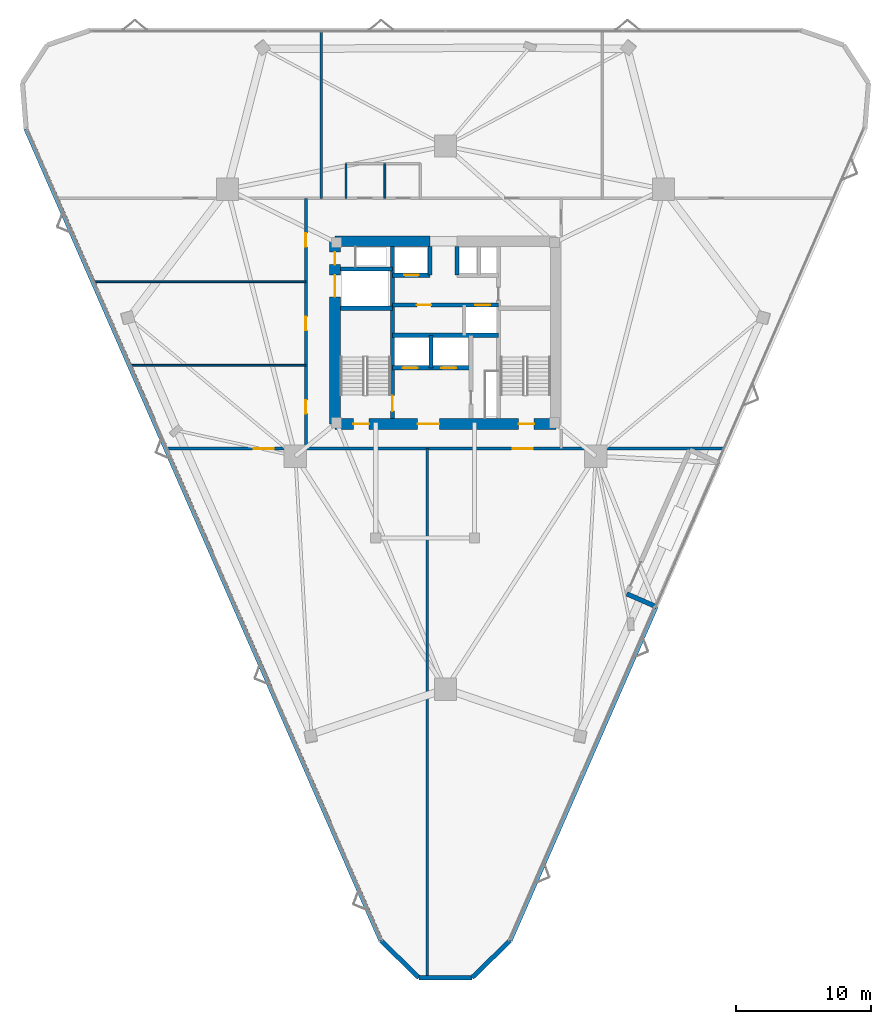
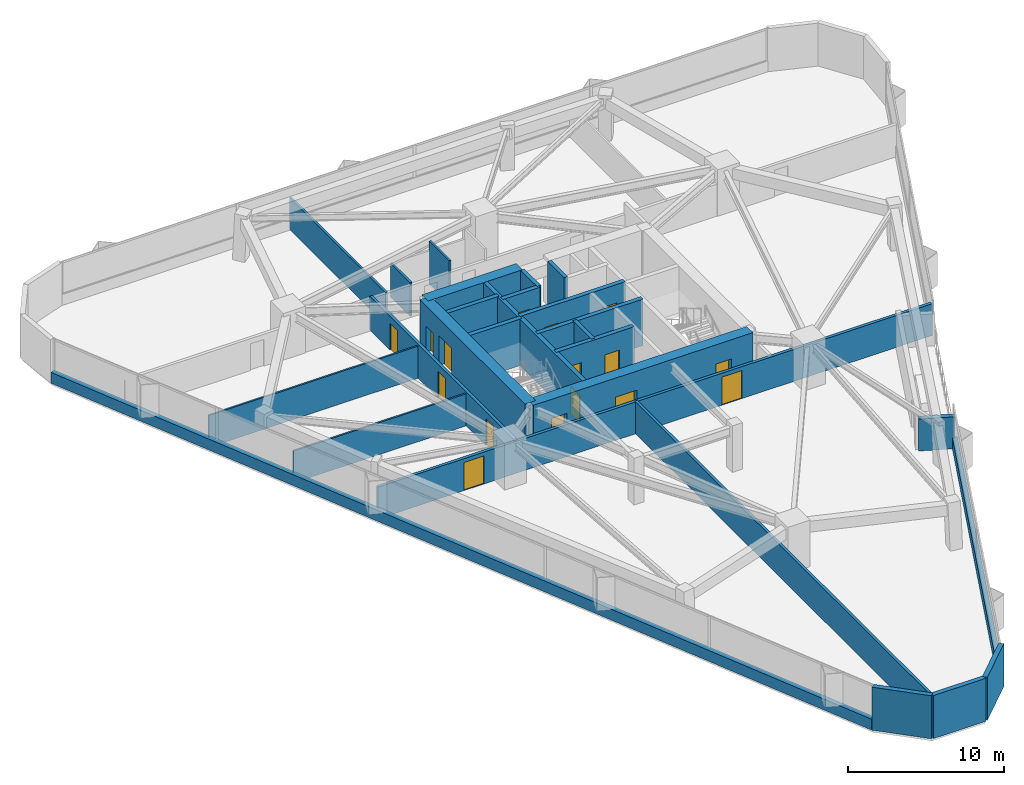
# One storey, part 12 of 14: 27 walls, 16 doors, 16 openings.
"""IFC4 building model written with IfcOpenShell, lengths in metres."""

from ifc_helpers import new_model, si_unit, direction, frame, frame_2d, origin, place, context, subcontext, project, spatial, rectangle, extrude, material, layer, layer_set, type_object, element, fill, save


model = new_model("IFC4")

# Units and contexts
model_context = context("Model", 3, precision=1e-05, world=origin(), true_north=direction((0.0, 1.0)))
body_context = subcontext(model_context, "Body", "Model", "MODEL_VIEW")
ifc_project = project(units=[si_unit("LENGTHUNIT", "METRE"), si_unit("AREAUNIT", "SQUARE_METRE"), si_unit("VOLUMEUNIT", "CUBIC_METRE"), si_unit("PLANEANGLEUNIT", "RADIAN"), si_unit("MASSUNIT", "GRAM", prefix="KILO")], contexts=[model_context])

# Site, building, storey
site_placement = place(None, origin())
site = spatial("IfcSite", under=ifc_project, at=site_placement, CompositionType="ELEMENT")
building_placement = place(site_placement, origin())
building = spatial("IfcBuilding", under=site, at=building_placement, Name="Talyreon Biosciences Tower", CompositionType="ELEMENT")
storey_placement = place(building_placement, frame((0.0, 0.0, 96.89990234375)))
storey = spatial("IfcBuildingStorey", under=building, at=storey_placement, Name="L25", CompositionType="ELEMENT", Elevation=96.89990234375)

# Walls
ifc_material_1 = material(Name="Gypsum fireboard acoustic stud", Category="gypsum")
ifc_layer_1 = layer(ifc_material_1, 0.199951171875)
ifc_layer_set_1 = layer_set([ifc_layer_1], Name="Gypsum fireboard acoustic stud")
wall_type_1 = type_object("IfcWallType", Name="ChemControlPartition_200", PredefinedType="PARTITIONING", material=ifc_layer_set_1)
wall_1_placement = place(storey_placement, frame((64.64990234375, 20.4423828125, 0.0), z_axis=(0.0, 0.0, 1.0), x_axis=(0.0, 1.0, 0.0)))
element("IfcWall", 1, at=wall_1_placement, inside=storey, type_object=wall_type_1, Name="L25 Interior Wall IW-L25-SDIV1", PredefinedType="PARTITIONING", context=body_context, shape_type="SweptSolid", body=[
    extrude(rectangle(XDim=38.987548828125, YDim=0.199951171875, at=frame_2d((19.49365234375, 0.0))), origin(), (0.0, 0.0, 1.0), 2.505126953125),
])
ifc_material_2 = material(Name="Concrete C50/60", Category="concrete")
ifc_layer_2 = layer(ifc_material_2, 0.280029296875)
ifc_layer_set_2 = layer_set([ifc_layer_2], Name="Concrete C50/60")
wall_type_2 = type_object("IfcWallType", Name="CoreShearWall_280", PredefinedType="SHEAR", material=ifc_layer_set_2)
wall_2_placement = place(storey_placement, frame((64.919921875, 65.39990234375, 0.0), z_axis=(0.0, 0.0, 1.0), x_axis=(0.0, 1.0, 0.0)))
element("IfcWall", 2, at=wall_2_placement, inside=storey, type_object=wall_type_2, Name="L25 Core Shaft Wall SWSHD1", PredefinedType="SHEAR", context=body_context, shape_type="SweptSolid", body=[
    extrude(rectangle(XDim=2.400146484375, YDim=0.280029296875, at=frame_2d((1.2001953125, 0.0))), origin(), (0.0, 0.0, 1.0), 3.650146484375),
])
for number, where, z_axis, x_axis, name in (
    (3, (64.85009765625, 72.25, 0.0), (0.0, 0.0, 1.0), (0.0, 1.0, 0.0), "L25 Core Shaft Wall SWTHW"),
    (4, (66.85009765625, 72.25, 0.0), (0.0, 0.0, 1.0), (0.0, 1.0, 0.0), "L25 Core Shaft Wall SWTHE"),
):
    element("IfcWall", number, at=place(storey_placement, frame(where, z_axis=z_axis, x_axis=x_axis)), inside=storey, type_object=wall_type_2, Name=name, PredefinedType="SHEAR", context=body_context, shape_type="SweptSolid", body=[
        extrude(rectangle(XDim=2.10009765625, YDim=0.280029296875, at=frame_2d((1.050048828125, 0.0))), origin(), (0.0, 0.0, 1.0), 3.650146484375),
    ])

# Wall, opening, door
ifc_layer_3 = layer(ifc_material_2, 0.320068359375)
ifc_layer_set_3 = layer_set([ifc_layer_3], Name="Concrete C50/60")
wall_type_3 = type_object("IfcWallType", Name="CoreShearWall_320", PredefinedType="SHEAR", material=ifc_layer_set_3)
wall_3_placement = place(storey_placement, frame((62.090087890625, 61.64990234375, 0.0), z_axis=(0.0, 0.0, 1.0), x_axis=(0.0, 1.0, 0.0)))
wall_3 = element("IfcWall", 5, at=wall_3_placement, inside=storey, type_object=wall_type_3, Name="L25 Core Shaft Wall SW1E", PredefinedType="SHEAR", context=body_context, shape_type="SweptSolid", body=[
    extrude(rectangle(XDim=12.7001953125, YDim=0.320068359375, at=frame_2d((6.35009765625, 0.0))), origin(), (0.0, 0.0, 1.0), 3.650146484375),
])
opening_1_placement = place(wall_3_placement, frame((0.550048828125, 0.0, 0.0)))
opening_1 = element("IfcOpeningElement", 6, at=opening_1_placement, cuts=wall_3, Name="Opening DR-L25-FF-ST1", PredefinedType="OPENING", context=body_context, shape_type="SweptSolid", body=[
    extrude(rectangle(XDim=1.14990234375, YDim=2.14990234375, at=frame_2d((0.574951171875, 1.074951171875))), frame((0.0, 0.169921875, 0.0), z_axis=(0.0, -1.0, 0.0), x_axis=(1.0, 0.0, 0.0)), (0.0, 0.0, 1.0), 0.340087890625),
])
ifc_material_3 = material(Name="Painted steel fire door", Category="steel")
door_type_1 = type_object("IfcDoorType", Name="StairShaftFireDoor_1150x2150", OperationType="NOTDEFINED", PredefinedType="DOOR", material=ifc_material_3)
door_1_placement = place(opening_1_placement, origin())
door_1 = element("IfcDoor", 7, at=door_1_placement, inside=storey, type_object=door_type_1, Name="L25 Core Door DR-L25-FF-ST1", OperationType="SINGLE_SWING_LEFT", OverallHeight=2.14990234375, OverallWidth=1.14990234375, PredefinedType="DOOR", context=body_context, shape_type="SweptSolid", body=[
    extrude(rectangle(XDim=1.14990234375, YDim=2.14990234375, at=frame_2d((0.574951171875, 1.074951171875))), frame((0.0, 0.02490234375, 0.0), z_axis=(0.0, -1.0, 0.0), x_axis=(1.0, 0.0, 0.0)), (0.0, 0.0, 1.0), 0.050048828125),
])
fill(opening_1, door_1)

# Walls
for number, where, z_axis, x_axis, name in (
    (8, (58.25, 69.81005859375, 0.0), (0.0, 0.0, 1.0), (1.0, 0.0, 0.0), "L25 Core Shaft Wall SW1N"),
    (9, (58.25, 72.699951171875, 0.0), (0.0, 0.0, 1.0), (1.0, 0.0, 0.0), "L25 Core Shaft Wall SWGLN"),
):
    element("IfcWall", number, at=place(storey_placement, frame(where, z_axis=z_axis, x_axis=x_axis)), inside=storey, type_object=wall_type_3, Name=name, PredefinedType="SHEAR", context=body_context, shape_type="SweptSolid", body=[
        extrude(rectangle(XDim=3.840087890625, YDim=0.320068359375, at=frame_2d((1.919921875, 0.0))), origin(), (0.0, 0.0, 1.0), 3.650146484375),
    ])
wall_4_placement = place(storey_placement, frame((62.090087890625, 67.800048828125, 0.0), z_axis=(0.0, 0.0, 1.0), x_axis=(1.0, 0.0, 0.0)))
element("IfcWall", 10, at=wall_4_placement, inside=storey, type_object=wall_type_3, Name="L25 Core Shaft Wall SWSHM", PredefinedType="SHEAR", context=body_context, shape_type="SweptSolid", body=[
    extrude(rectangle(XDim=7.81982421875, YDim=0.320068359375, at=frame_2d((3.909912109375, 0.0))), origin(), (0.0, 0.0, 1.0), 3.650146484375),
])

# Wall, openings, doors
wall_5_placement = place(storey_placement, frame((62.090087890625, 70.050048828125, 0.0), z_axis=(0.0, 0.0, 1.0), x_axis=(1.0, 0.0, 0.0)))
wall_5 = element("IfcWall", 11, at=wall_5_placement, inside=storey, type_object=wall_type_3, Name="L25 Core Shaft Wall SWSPN", PredefinedType="SHEAR", context=body_context, shape_type="SweptSolid", body=[
    extrude(rectangle(XDim=7.81982421875, YDim=0.320068359375, at=frame_2d((3.909912109375, 0.0))), origin(), (0.0, 0.0, 1.0), 3.650146484375),
])
opening_2_placement = place(wall_5_placement, frame((1.800048828125, 0.0, 0.0)))
opening_2 = element("IfcOpeningElement", 12, at=opening_2_placement, cuts=wall_5, Name="Opening DR-L25-PLFREE-A", PredefinedType="OPENING", context=body_context, shape_type="SweptSolid", body=[
    extrude(rectangle(XDim=1.050048828125, YDim=2.14990234375, at=frame_2d((0.52490234375, 1.074951171875))), frame((0.0, 0.169921875, 0.0), z_axis=(0.0, -1.0, 0.0), x_axis=(1.0, 0.0, 0.0)), (0.0, 0.0, 1.0), 0.340087890625),
])
opening_3_placement = place(wall_5_placement, frame((6.10009765625, 0.0, 0.0)))
opening_3 = element("IfcOpeningElement", 13, at=opening_3_placement, cuts=wall_5, Name="Opening LD-L25-PM1", PredefinedType="OPENING", context=body_context, shape_type="SweptSolid", body=[
    extrude(rectangle(XDim=1.10009765625, YDim=2.199951171875, at=frame_2d((0.550048828125, 1.10009765625))), frame((0.0, 0.169921875, 0.0), z_axis=(0.0, -1.0, 0.0), x_axis=(1.0, 0.0, 0.0)), (0.0, 0.0, 1.0), 0.340087890625),
])
ifc_material_4 = material(Name="Acoustic timber-core laboratory door", Category="wood")
door_type_2 = type_object("IfcDoorType", Name="DryLabSingleDoor_1050x2150", OperationType="NOTDEFINED", PredefinedType="DOOR", material=ifc_material_4)
door_2_placement = place(opening_2_placement, origin())
door_2 = element("IfcDoor", 14, at=door_2_placement, inside=storey, type_object=door_type_2, Name="L25 Core Door DR-L25-PLFREE-A", OperationType="SINGLE_SWING_LEFT", OverallHeight=2.14990234375, OverallWidth=1.050048828125, PredefinedType="DOOR", context=body_context, shape_type="SweptSolid", body=[
    extrude(rectangle(XDim=1.050048828125, YDim=2.14990234375, at=frame_2d((0.52490234375, 1.074951171875))), frame((0.0, 0.02490234375, 0.0), z_axis=(0.0, -1.0, 0.0), x_axis=(1.0, 0.0, 0.0)), (0.0, 0.0, 1.0), 0.050048828125),
])
fill(opening_2, door_2)
ifc_material_5 = material(Name="Brushed stainless-steel lift landing door", Category="steel")
door_type_3 = type_object("IfcDoorType", Name="LiftSlidingLandingDoor_1100x2200", OperationType="SLIDING_TO_LEFT", PredefinedType="DOOR", material=ifc_material_5)
door_3_placement = place(opening_3_placement, origin())
door_3 = element("IfcDoor", 15, at=door_3_placement, inside=storey, type_object=door_type_3, Name="L25 Core Door LD-L25-PM1", OperationType="SLIDING_TO_LEFT", OverallHeight=2.199951171875, OverallWidth=1.10009765625, PredefinedType="DOOR", context=body_context, shape_type="SweptSolid", body=[
    extrude(rectangle(XDim=1.10009765625, YDim=2.199951171875, at=frame_2d((0.550048828125, 1.10009765625))), frame((0.0, 0.02490234375, 0.0), z_axis=(0.0, -1.0, 0.0), x_axis=(1.0, 0.0, 0.0)), (0.0, 0.0, 1.0), 0.050048828125),
])
fill(opening_3, door_3)

# Wall, opening, door
wall_6_placement = place(storey_placement, frame((62.090087890625, 72.25, 0.0), z_axis=(0.0, 0.0, 1.0), x_axis=(1.0, 0.0, 0.0)))
wall_6 = element("IfcWall", 16, at=wall_6_placement, inside=storey, type_object=wall_type_3, Name="L25 Core Shaft Wall SWNPW", PredefinedType="SHEAR", context=body_context, shape_type="SweptSolid", body=[
    extrude(rectangle(XDim=2.760009765625, YDim=0.320068359375, at=frame_2d((1.3798828125, 0.0))), origin(), (0.0, 0.0, 1.0), 3.650146484375),
])
opening_4_placement = place(wall_6_placement, frame((0.85009765625, 0.0, 0.0)))
opening_4 = element("IfcOpeningElement", 17, at=opening_4_placement, cuts=wall_6, Name="Opening LD-L25-PM2", PredefinedType="OPENING", context=body_context, shape_type="SweptSolid", body=[
    extrude(rectangle(XDim=1.10009765625, YDim=2.199951171875, at=frame_2d((0.550048828125, 1.10009765625))), frame((0.0, 0.169921875, 0.0), z_axis=(0.0, -1.0, 0.0), x_axis=(1.0, 0.0, 0.0)), (0.0, 0.0, 1.0), 0.340087890625),
])
door_4_placement = place(opening_4_placement, origin())
door_4 = element("IfcDoor", 18, at=door_4_placement, inside=storey, type_object=door_type_3, Name="L25 Core Door LD-L25-PM2", OperationType="SLIDING_TO_LEFT", OverallHeight=2.199951171875, OverallWidth=1.10009765625, PredefinedType="DOOR", context=body_context, shape_type="SweptSolid", body=[
    extrude(rectangle(XDim=1.10009765625, YDim=2.199951171875, at=frame_2d((0.550048828125, 1.10009765625))), frame((0.0, 0.02490234375, 0.0), z_axis=(0.0, -1.0, 0.0), x_axis=(1.0, 0.0, 0.0)), (0.0, 0.0, 1.0), 0.050048828125),
])
fill(opening_4, door_4)

# Wall, openings, doors
wall_7_placement = place(storey_placement, frame((62.090087890625, 65.39990234375, 0.0), z_axis=(0.0, 0.0, 1.0), x_axis=(1.0, 0.0, 0.0)))
wall_7 = element("IfcWall", 19, at=wall_7_placement, inside=storey, type_object=wall_type_3, Name="L25 Core Shaft Wall SWFFN", PredefinedType="SHEAR", context=body_context, shape_type="SweptSolid", body=[
    extrude(rectangle(XDim=5.789794921875, YDim=0.320068359375, at=frame_2d((2.89501953125, 0.0))), origin(), (0.0, 0.0, 1.0), 3.650146484375),
])
opening_5_placement = place(wall_7_placement, frame((0.75, 0.0, 0.0)))
opening_5 = element("IfcOpeningElement", 20, at=opening_5_placement, cuts=wall_7, Name="Opening LD-L25-FL1", PredefinedType="OPENING", context=body_context, shape_type="SweptSolid", body=[
    extrude(rectangle(XDim=1.10009765625, YDim=2.199951171875, at=frame_2d((0.550048828125, 1.10009765625))), frame((0.0, 0.169921875, 0.0), z_axis=(0.0, -1.0, 0.0), x_axis=(1.0, 0.0, 0.0)), (0.0, 0.0, 1.0), 0.340087890625),
])
opening_6_placement = place(wall_7_placement, frame((3.60009765625, 0.0, 0.0)))
opening_6 = element("IfcOpeningElement", 21, at=opening_6_placement, cuts=wall_7, Name="Opening LD-L25-FL2", PredefinedType="OPENING", context=body_context, shape_type="SweptSolid", body=[
    extrude(rectangle(XDim=1.10009765625, YDim=2.199951171875, at=frame_2d((0.550048828125, 1.10009765625))), frame((0.0, 0.169921875, 0.0), z_axis=(0.0, -1.0, 0.0), x_axis=(1.0, 0.0, 0.0)), (0.0, 0.0, 1.0), 0.340087890625),
])
door_5_placement = place(opening_5_placement, origin())
door_5 = element("IfcDoor", 22, at=door_5_placement, inside=storey, type_object=door_type_3, Name="L25 Core Door LD-L25-FL1", OperationType="SLIDING_TO_LEFT", OverallHeight=2.199951171875, OverallWidth=1.10009765625, PredefinedType="DOOR", context=body_context, shape_type="SweptSolid", body=[
    extrude(rectangle(XDim=1.10009765625, YDim=2.199951171875, at=frame_2d((0.550048828125, 1.10009765625))), frame((0.0, 0.02490234375, 0.0), z_axis=(0.0, -1.0, 0.0), x_axis=(1.0, 0.0, 0.0)), (0.0, 0.0, 1.0), 0.050048828125),
])
fill(opening_5, door_5)
door_6_placement = place(opening_6_placement, origin())
door_6 = element("IfcDoor", 23, at=door_6_placement, inside=storey, type_object=door_type_3, Name="L25 Core Door LD-L25-FL2", OperationType="SLIDING_TO_LEFT", OverallHeight=2.199951171875, OverallWidth=1.10009765625, PredefinedType="DOOR", context=body_context, shape_type="SweptSolid", body=[
    extrude(rectangle(XDim=1.10009765625, YDim=2.199951171875, at=frame_2d((0.550048828125, 1.10009765625))), frame((0.0, 0.02490234375, 0.0), z_axis=(0.0, -1.0, 0.0), x_axis=(1.0, 0.0, 0.0)), (0.0, 0.0, 1.0), 0.050048828125),
])
fill(opening_6, door_6)

ifc_material_6 = material(Name="Concrete C60/75", Category="concrete")
ifc_layer_4 = layer(ifc_material_6, 0.800048828125)
ifc_layer_set_4 = layer_set([ifc_layer_4], Name="Concrete C60/75")
wall_type_4 = type_object("IfcWallType", Name="CoreShearWall_800", PredefinedType="SHEAR", material=ifc_layer_set_4)
wall_8_placement = place(storey_placement, frame((57.85009765625, 61.25, 0.0), z_axis=(0.0, 0.0, 1.0), x_axis=(1.0, 0.0, 0.0)))
wall_8 = element("IfcWall", 24, at=wall_8_placement, inside=storey, type_object=wall_type_4, Name="L25 Core Shear Wall S", PredefinedType="SHEAR", context=body_context, shape_type="SweptSolid", body=[
    extrude(rectangle(XDim=16.2998046875, YDim=0.800048828125, at=frame_2d((8.14990234375, 0.0))), origin(), (0.0, 0.0, 1.0), 3.650146484375),
])
opening_7_placement = place(wall_8_placement, frame((1.35009765625, 0.0, 0.0)))
opening_7 = element("IfcOpeningElement", 25, at=opening_7_placement, cuts=wall_8, Name="Opening DR-L25-ST1", PredefinedType="OPENING", context=body_context, shape_type="SweptSolid", body=[
    extrude(rectangle(XDim=1.14990234375, YDim=2.14990234375, at=frame_2d((0.574951171875, 1.074951171875))), frame((0.0, 0.409912109375, 0.0), z_axis=(0.0, -1.0, 0.0), x_axis=(1.0, 0.0, 0.0)), (0.0, 0.0, 1.0), 0.820068359375),
])
opening_8_placement = place(wall_8_placement, frame((6.10009765625, 0.0, 0.0)))
opening_8 = element("IfcOpeningElement", 26, at=opening_8_placement, cuts=wall_8, Name="Opening DR-L25-FFL", PredefinedType="OPENING", context=body_context, shape_type="SweptSolid", body=[
    extrude(rectangle(XDim=1.60009765625, YDim=2.14990234375, at=frame_2d((0.800048828125, 1.074951171875))), frame((0.0, 0.409912109375, 0.0), z_axis=(0.0, -1.0, 0.0), x_axis=(1.0, 0.0, 0.0)), (0.0, 0.0, 1.0), 0.820068359375),
])
opening_9_placement = place(wall_8_placement, frame((13.550048828125, 0.0, 0.0)))
opening_9 = element("IfcOpeningElement", 27, at=opening_9_placement, cuts=wall_8, Name="Opening DR-L25-ST2", PredefinedType="OPENING", context=body_context, shape_type="SweptSolid", body=[
    extrude(rectangle(XDim=1.14990234375, YDim=2.14990234375, at=frame_2d((0.574951171875, 1.074951171875))), frame((0.0, 0.409912109375, 0.0), z_axis=(0.0, -1.0, 0.0), x_axis=(1.0, 0.0, 0.0)), (0.0, 0.0, 1.0), 0.820068359375),
])
ifc_material_7 = material(Name="Painted steel smoke-seal fire door", Category="steel")
door_type_4 = type_object("IfcDoorType", Name="FirefightingLobbyDoubleDoor_1600x2150", OperationType="DOUBLE_DOOR_SINGLE_SWING", PredefinedType="DOOR", material=ifc_material_7)
door_7_placement = place(opening_8_placement, origin())
door_7 = element("IfcDoor", 28, at=door_7_placement, inside=storey, type_object=door_type_4, Name="L25 Core Door DR-L25-FFL", OperationType="DOUBLE_DOOR_SINGLE_SWING", OverallHeight=2.14990234375, OverallWidth=1.60009765625, PredefinedType="DOOR", context=body_context, shape_type="SweptSolid", body=[
    extrude(rectangle(XDim=1.60009765625, YDim=2.14990234375, at=frame_2d((0.800048828125, 1.074951171875))), frame((0.0, 0.02490234375, 0.0), z_axis=(0.0, -1.0, 0.0), x_axis=(1.0, 0.0, 0.0)), (0.0, 0.0, 1.0), 0.050048828125),
])
fill(opening_8, door_7)
door_8_placement = place(opening_7_placement, origin())
door_8 = element("IfcDoor", 29, at=door_8_placement, inside=storey, type_object=door_type_1, Name="L25 Core Door DR-L25-ST1", OperationType="SINGLE_SWING_LEFT", OverallHeight=2.14990234375, OverallWidth=1.14990234375, PredefinedType="DOOR", context=body_context, shape_type="SweptSolid", body=[
    extrude(rectangle(XDim=1.14990234375, YDim=2.14990234375, at=frame_2d((0.574951171875, 1.074951171875))), frame((0.0, 0.02490234375, 0.0), z_axis=(0.0, -1.0, 0.0), x_axis=(1.0, 0.0, 0.0)), (0.0, 0.0, 1.0), 0.050048828125),
])
fill(opening_7, door_8)
door_9_placement = place(opening_9_placement, origin())
door_9 = element("IfcDoor", 30, at=door_9_placement, inside=storey, type_object=door_type_1, Name="L25 Core Door DR-L25-ST2", OperationType="SINGLE_SWING_RIGHT", OverallHeight=2.14990234375, OverallWidth=1.14990234375, PredefinedType="DOOR", context=body_context, shape_type="SweptSolid", body=[
    extrude(rectangle(XDim=1.14990234375, YDim=2.14990234375, at=frame_2d((0.574951171875, 1.074951171875))), frame((0.0, 0.02490234375, 0.0), z_axis=(0.0, -1.0, 0.0), x_axis=(1.0, 0.0, 0.0)), (0.0, 0.0, 1.0), 0.050048828125),
])
fill(opening_9, door_9)

# Wall
wall_9_placement = place(storey_placement, frame((64.85009765625, 74.75, 0.0), z_axis=(0.0, 0.0, 1.0), x_axis=(-1.0, 0.0, 0.0)))
element("IfcWall", 31, at=wall_9_placement, inside=storey, type_object=wall_type_4, Name="L25 Core Shear Wall NW", PredefinedType="SHEAR", context=body_context, shape_type="SweptSolid", body=[
    extrude(rectangle(XDim=7.0, YDim=0.800048828125, at=frame_2d((3.5, 0.0))), origin(), (0.0, 0.0, 1.0), 3.650146484375),
])

# Wall, openings, doors
wall_10_placement = place(storey_placement, frame((57.85009765625, 74.75, 0.0), z_axis=(0.0, 0.0, 1.0), x_axis=(0.0, -1.0, 0.0)))
wall_10 = element("IfcWall", 32, at=wall_10_placement, inside=storey, type_object=wall_type_4, Name="L25 Core Shear Wall W", PredefinedType="SHEAR", context=body_context, shape_type="SweptSolid", body=[
    extrude(rectangle(XDim=13.5, YDim=0.800048828125, at=frame_2d((6.75, 0.0))), origin(), (0.0, 0.0, 1.0), 3.650146484375),
])
opening_10_placement = place(wall_10_placement, frame((0.800048828125, 0.0, 0.0)))
opening_10 = element("IfcOpeningElement", 33, at=opening_10_placement, cuts=wall_10, Name="Opening DR-L25-RSW", PredefinedType="OPENING", context=body_context, shape_type="SweptSolid", body=[
    extrude(rectangle(XDim=0.919921875, YDim=2.050048828125, at=frame_2d((0.4599609375, 1.02490234375))), frame((0.0, 0.409912109375, 0.0), z_axis=(0.0, -1.0, 0.0), x_axis=(1.0, 0.0, 0.0)), (0.0, 0.0, 1.0), 0.820068359375),
])
opening_11_placement = place(wall_10_placement, frame((2.5, 0.0, 0.0)))
opening_11 = element("IfcOpeningElement", 34, at=opening_11_placement, cuts=wall_10, Name="Opening LD-L25-GL1", PredefinedType="OPENING", context=body_context, shape_type="SweptSolid", body=[
    extrude(rectangle(XDim=1.60009765625, YDim=2.300048828125, at=frame_2d((0.800048828125, 1.14990234375))), frame((0.0, 0.409912109375, 0.0), z_axis=(0.0, -1.0, 0.0), x_axis=(1.0, 0.0, 0.0)), (0.0, 0.0, 1.0), 0.820068359375),
])
ifc_material_8 = material(Name="Heavy-duty stainless-steel goods lift door", Category="steel")
door_type_5 = type_object("IfcDoorType", Name="GoodsLiftSlidingDoor_1600x2300", OperationType="DOUBLE_DOOR_SLIDING", PredefinedType="DOOR", material=ifc_material_8)
door_10_placement = place(opening_11_placement, origin())
door_10 = element("IfcDoor", 35, at=door_10_placement, inside=storey, type_object=door_type_5, Name="L25 Core Door LD-L25-GL1", OperationType="DOUBLE_DOOR_SLIDING", OverallHeight=2.300048828125, OverallWidth=1.60009765625, PredefinedType="DOOR", context=body_context, shape_type="SweptSolid", body=[
    extrude(rectangle(XDim=1.60009765625, YDim=2.300048828125, at=frame_2d((0.800048828125, 1.14990234375))), frame((0.0, 0.02490234375, 0.0), z_axis=(0.0, -1.0, 0.0), x_axis=(1.0, 0.0, 0.0)), (0.0, 0.0, 1.0), 0.050048828125),
])
fill(opening_11, door_10)
ifc_material_9 = material(Name="Painted steel fire-rated riser door", Category="steel")
door_type_6 = type_object("IfcDoorType", Name="RiserPlantAccessDoor_920x2050", OperationType="NOTDEFINED", PredefinedType="DOOR", material=ifc_material_9)
door_11_placement = place(opening_10_placement, origin())
door_11 = element("IfcDoor", 36, at=door_11_placement, inside=storey, type_object=door_type_6, Name="L25 Core Door DR-L25-RSW", OperationType="SINGLE_SWING_LEFT", OverallHeight=2.050048828125, OverallWidth=0.919921875, PredefinedType="DOOR", context=body_context, shape_type="SweptSolid", body=[
    extrude(rectangle(XDim=0.919921875, YDim=2.050048828125, at=frame_2d((0.4599609375, 1.02490234375))), frame((0.0, 0.02490234375, 0.0), z_axis=(0.0, -1.0, 0.0), x_axis=(1.0, 0.0, 0.0)), (0.0, 0.0, 1.0), 0.050048828125),
])
fill(opening_10, door_11)

ifc_layer_5 = layer(ifc_material_1, 0.219970703125)
ifc_layer_set_5 = layer_set([ifc_layer_5], Name="Gypsum fireboard acoustic stud")
wall_type_5 = type_object("IfcWallType", Name="CorridorRatedPartition_220", PredefinedType="PARTITIONING", material=ifc_layer_set_5)
wall_11_placement = place(storey_placement, frame((45.443115234375, 59.429931640625, 0.0), z_axis=(0.0, 0.0, 1.0), x_axis=(1.0, 0.0, 0.0)))
wall_11 = element("IfcWall", 37, at=wall_11_placement, inside=storey, type_object=wall_type_5, Name="L25 Interior Wall IW-L25-COR-S", PredefinedType="PARTITIONING", context=body_context, shape_type="SweptSolid", body=[
    extrude(rectangle(XDim=41.11376953125, YDim=0.219970703125, at=frame_2d((20.556884765625, 0.0))), origin(), (0.0, 0.0, 1.0), 2.505126953125),
])
opening_12_placement = place(wall_11_placement, frame((6.3759765625, 0.0, 0.0)))
opening_12 = element("IfcOpeningElement", 38, at=opening_12_placement, cuts=wall_11, Name="Opening DR-L25-S1A", PredefinedType="OPENING", context=body_context, shape_type="SweptSolid", body=[
    extrude(rectangle(XDim=1.5, YDim=2.199951171875, at=frame_2d((0.75, 1.10009765625))), frame((0.0, 0.119873046875, 0.0), z_axis=(0.0, -1.0, 0.0), x_axis=(1.0, 0.0, 0.0)), (0.0, 0.0, 1.0), 0.239990234375),
])
opening_13_placement = place(wall_11_placement, frame((25.513916015625, 0.0, 0.0)))
opening_13 = element("IfcOpeningElement", 39, at=opening_13_placement, cuts=wall_11, Name="Opening DR-L25-S2A", PredefinedType="OPENING", context=body_context, shape_type="SweptSolid", body=[
    extrude(rectangle(XDim=1.5, YDim=2.199951171875, at=frame_2d((0.75, 1.10009765625))), frame((0.0, 0.119873046875, 0.0), z_axis=(0.0, -1.0, 0.0), x_axis=(1.0, 0.0, 0.0)), (0.0, 0.0, 1.0), 0.239990234375),
])
ifc_material_10 = material(Name="Vision-panel steel laboratory fire door", Category="steel")
door_type_7 = type_object("IfcDoorType", Name="WetLabDoubleLeafDoor_1500x2200", OperationType="DOUBLE_DOOR_SINGLE_SWING", PredefinedType="DOOR", material=ifc_material_10)
door_12_placement = place(opening_12_placement, origin())
door_12 = element("IfcDoor", 40, at=door_12_placement, inside=storey, type_object=door_type_7, Name="L25 Interior Door DR-L25-S1A", OperationType="DOUBLE_DOOR_SINGLE_SWING", OverallHeight=2.199951171875, OverallWidth=1.5, PredefinedType="DOOR", context=body_context, shape_type="SweptSolid", body=[
    extrude(rectangle(XDim=1.5, YDim=2.199951171875, at=frame_2d((0.75, 1.10009765625))), frame((0.0, 0.02490234375, 0.0), z_axis=(0.0, -1.0, 0.0), x_axis=(1.0, 0.0, 0.0)), (0.0, 0.0, 1.0), 0.050048828125),
])
fill(opening_12, door_12)
door_13_placement = place(opening_13_placement, origin())
door_13 = element("IfcDoor", 41, at=door_13_placement, inside=storey, type_object=door_type_7, Name="L25 Interior Door DR-L25-S2A", OperationType="DOUBLE_DOOR_SINGLE_SWING", OverallHeight=2.199951171875, OverallWidth=1.5, PredefinedType="DOOR", context=body_context, shape_type="SweptSolid", body=[
    extrude(rectangle(XDim=1.5, YDim=2.199951171875, at=frame_2d((0.75, 1.10009765625))), frame((0.0, 0.02490234375, 0.0), z_axis=(0.0, -1.0, 0.0), x_axis=(1.0, 0.0, 0.0)), (0.0, 0.0, 1.0), 0.050048828125),
])
fill(opening_13, door_13)

wall_12_placement = place(storey_placement, frame((55.679931640625, 59.429931640625, 0.0), z_axis=(0.0, 0.0, 1.0), x_axis=(0.0, 1.0, 0.0)))
wall_12 = element("IfcWall", 42, at=wall_12_placement, inside=storey, type_object=wall_type_5, Name="L25 Interior Wall IW-L25-COR-W", PredefinedType="PARTITIONING", context=body_context, shape_type="SweptSolid", body=[
    extrude(rectangle(XDim=18.5, YDim=0.219970703125, at=frame_2d((9.25, 0.0))), origin(), (0.0, 0.0, 1.0), 2.655029296875),
])
opening_14_placement = place(wall_12_placement, frame((2.5830078125, 0.0, 0.0)))
opening_14 = element("IfcOpeningElement", 43, at=opening_14_placement, cuts=wall_12, Name="Opening DR-L25-W1A", PredefinedType="OPENING", context=body_context, shape_type="SweptSolid", body=[
    extrude(rectangle(XDim=1.0, YDim=2.10009765625, at=frame_2d((0.5, 1.050048828125))), frame((0.0, 0.119873046875, 0.0), z_axis=(0.0, -1.0, 0.0), x_axis=(1.0, 0.0, 0.0)), (0.0, 0.0, 1.0), 0.239990234375),
])
opening_15_placement = place(wall_12_placement, frame((8.75, 0.0, 0.0)))
opening_15 = element("IfcOpeningElement", 44, at=opening_15_placement, cuts=wall_12, Name="Opening DR-L25-W2A", PredefinedType="OPENING", context=body_context, shape_type="SweptSolid", body=[
    extrude(rectangle(XDim=1.0, YDim=2.10009765625, at=frame_2d((0.5, 1.050048828125))), frame((0.0, 0.119873046875, 0.0), z_axis=(0.0, -1.0, 0.0), x_axis=(1.0, 0.0, 0.0)), (0.0, 0.0, 1.0), 0.239990234375),
])
opening_16_placement = place(wall_12_placement, frame((14.9169921875, 0.0, 0.0)))
opening_16 = element("IfcOpeningElement", 45, at=opening_16_placement, cuts=wall_12, Name="Opening DR-L25-W3A", PredefinedType="OPENING", context=body_context, shape_type="SweptSolid", body=[
    extrude(rectangle(XDim=1.0, YDim=2.10009765625, at=frame_2d((0.5, 1.050048828125))), frame((0.0, 0.119873046875, 0.0), z_axis=(0.0, -1.0, 0.0), x_axis=(1.0, 0.0, 0.0)), (0.0, 0.0, 1.0), 0.239990234375),
])
ifc_material_11 = material(Name="Acoustic oak veneer office door", Category="wood")
door_type_8 = type_object("IfcDoorType", Name="WriteupOfficeDoor_1000x2100", OperationType="NOTDEFINED", PredefinedType="DOOR", material=ifc_material_11)
door_14_placement = place(opening_14_placement, origin())
door_14 = element("IfcDoor", 46, at=door_14_placement, inside=storey, type_object=door_type_8, Name="L25 Interior Door DR-L25-W1A", OperationType="SINGLE_SWING_LEFT", OverallHeight=2.10009765625, OverallWidth=1.0, PredefinedType="DOOR", context=body_context, shape_type="SweptSolid", body=[
    extrude(rectangle(XDim=1.0, YDim=2.10009765625, at=frame_2d((0.5, 1.050048828125))), frame((0.0, 0.02490234375, 0.0), z_axis=(0.0, -1.0, 0.0), x_axis=(1.0, 0.0, 0.0)), (0.0, 0.0, 1.0), 0.050048828125),
])
fill(opening_14, door_14)
door_15_placement = place(opening_15_placement, origin())
door_15 = element("IfcDoor", 47, at=door_15_placement, inside=storey, type_object=door_type_8, Name="L25 Interior Door DR-L25-W2A", OperationType="SINGLE_SWING_RIGHT", OverallHeight=2.10009765625, OverallWidth=1.0, PredefinedType="DOOR", context=body_context, shape_type="SweptSolid", body=[
    extrude(rectangle(XDim=1.0, YDim=2.10009765625, at=frame_2d((0.5, 1.050048828125))), frame((0.0, 0.02490234375, 0.0), z_axis=(0.0, -1.0, 0.0), x_axis=(1.0, 0.0, 0.0)), (0.0, 0.0, 1.0), 0.050048828125),
])
fill(opening_15, door_15)
door_16_placement = place(opening_16_placement, origin())
door_16 = element("IfcDoor", 48, at=door_16_placement, inside=storey, type_object=door_type_8, Name="L25 Interior Door DR-L25-W3A", OperationType="SINGLE_SWING_LEFT", OverallHeight=2.10009765625, OverallWidth=1.0, PredefinedType="DOOR", context=body_context, shape_type="SweptSolid", body=[
    extrude(rectangle(XDim=1.0, YDim=2.10009765625, at=frame_2d((0.5, 1.050048828125))), frame((0.0, 0.02490234375, 0.0), z_axis=(0.0, -1.0, 0.0), x_axis=(1.0, 0.0, 0.0)), (0.0, 0.0, 1.0), 0.050048828125),
])
fill(opening_16, door_16)

# Walls
ifc_material_12 = material(Name="Gypsum acoustic stud partition", Category="gypsum")
ifc_layer_6 = layer(ifc_material_12, 0.159912109375)
ifc_layer_set_6 = layer_set([ifc_layer_6], Name="Gypsum acoustic stud partition")
wall_type_6 = type_object("IfcWallType", Name="LabSeparationPartition_160", PredefinedType="PARTITIONING", material=ifc_layer_set_6)
wall_13_placement = place(storey_placement, frame((56.827880859375, 77.929931640625, 0.0), z_axis=(0.0, 0.0, 1.0), x_axis=(0.0, 1.0, 0.0)))
element("IfcWall", 49, at=wall_13_placement, inside=storey, type_object=wall_type_6, Name="L25 Interior Wall IW-L25-NDIV1", PredefinedType="PARTITIONING", context=body_context, shape_type="SweptSolid", body=[
    extrude(rectangle(XDim=12.338623046875, YDim=0.159912109375, at=frame_2d((6.16943359375, 0.0))), origin(), (0.0, 0.0, 1.0), 2.505126953125),
])
ifc_layer_7 = layer(ifc_material_12, 0.1298828125)
ifc_layer_set_7 = layer_set([ifc_layer_7], Name="Gypsum acoustic stud partition")
wall_type_7 = type_object("IfcWallType", Name="OfficeWriteupPartition_130", PredefinedType="PARTITIONING", material=ifc_layer_set_7)
wall_14_placement = place(storey_placement, frame((42.747314453125, 65.596923828125, 0.0), z_axis=(0.0, 0.0, 1.0), x_axis=(1.0, 0.0, 0.0)))
element("IfcWall", 50, at=wall_14_placement, inside=storey, type_object=wall_type_7, Name="L25 Interior Wall IW-L25-WDIV1", PredefinedType="PARTITIONING", context=body_context, shape_type="SweptSolid", body=[
    extrude(rectangle(XDim=12.9326171875, YDim=0.1298828125, at=frame_2d((6.46630859375, 0.0))), origin(), (0.0, 0.0, 1.0), 2.505126953125),
])
wall_15_placement = place(storey_placement, frame((40.052001953125, 71.762939453125, 0.0), z_axis=(0.0, 0.0, 1.0), x_axis=(1.0, 0.0, 0.0)))
element("IfcWall", 51, at=wall_15_placement, inside=storey, type_object=wall_type_7, Name="L25 Interior Wall IW-L25-WDIV2", PredefinedType="PARTITIONING", context=body_context, shape_type="SweptSolid", body=[
    extrude(rectangle(XDim=15.6279296875, YDim=0.1298828125, at=frame_2d((7.81396484375, 0.0))), origin(), (0.0, 0.0, 1.0), 2.505126953125),
])
ifc_material_13 = material(Name="Precast concrete C45/55", Category="concrete")
ifc_layer_8 = layer(ifc_material_13, 0.340087890625)
ifc_layer_set_8 = layer_set([ifc_layer_8], Name="Precast concrete C45/55")
wall_type_8 = type_object("IfcWallType", Name="PrecastConcreteSpandrelWall_340", PredefinedType="STANDARD", material=ifc_layer_set_8)
wall_16_placement = place(storey_placement, frame((79.39794921875, 48.7080078125, 0.0), z_axis=(0.0, 0.0, 1.0), x_axis=(0.916245537869, -0.400617166801, 0.0)))
element("IfcWall", 52, at=wall_16_placement, inside=storey, type_object=wall_type_8, Name="L25 Terrace Backing Concrete Wall 10", PredefinedType="STANDARD", context=body_context, shape_type="SweptSolid", body=[
    extrude(rectangle(XDim=2.349853515625, YDim=0.340087890625, at=frame_2d((1.1748046875, 0.0))), origin(), (0.0, 0.0, 1.0), 2.505126953125),
])
wall_17_placement = place(storey_placement, frame((81.551025390625, 47.7666015625, 0.0), z_axis=(0.0, 0.0, 1.0), x_axis=(-0.400539645754, -0.916279429093, 0.0)))
element("IfcWall", 53, at=wall_17_placement, inside=storey, type_object=wall_type_8, Name="L25 Expressed Concrete Sill Wall 11", PredefinedType="STANDARD", context=body_context, shape_type="SweptSolid", body=[
    extrude(rectangle(XDim=26.9296875, YDim=0.340087890625, at=frame_2d((13.46484375, 0.0))), origin(), (0.0, 0.0, 1.0), 0.85009765625),
])
wall_18_placement = place(storey_placement, frame((70.7646484375, 23.091552734375, 0.0), z_axis=(0.0, 0.0, 1.0), x_axis=(-0.716208023847, -0.697886858006, 0.0)))
element("IfcWall", 54, at=wall_18_placement, inside=storey, type_object=wall_type_8, Name="L25 Rounded-Corner Concrete Pier 12", PredefinedType="STANDARD", context=body_context, shape_type="SweptSolid", body=[
    extrude(rectangle(XDim=3.917724609375, YDim=0.340087890625, at=frame_2d((1.958984375, 0.0))), origin(), (0.0, 0.0, 1.0), 3.375),
])
wall_19_placement = place(storey_placement, frame((67.958740234375, 20.357421875, 0.0), z_axis=(0.0, 0.0, 1.0), x_axis=(-1.0, 0.0, 0.0)))
element("IfcWall", 55, at=wall_19_placement, inside=storey, type_object=wall_type_8, Name="L25 Rounded-Corner Concrete Pier 13", PredefinedType="STANDARD", context=body_context, shape_type="SweptSolid", body=[
    extrude(rectangle(XDim=3.91748046875, YDim=0.340087890625, at=frame_2d((1.958740234375, 0.0))), origin(), (0.0, 0.0, 1.0), 3.375),
])
wall_20_placement = place(storey_placement, frame((64.041259765625, 20.357421875, 0.0), z_axis=(0.0, 0.0, 1.0), x_axis=(-0.716208023847, 0.697886858006, 0.0)))
element("IfcWall", 56, at=wall_20_placement, inside=storey, type_object=wall_type_8, Name="L25 Rounded-Corner Concrete Pier 14", PredefinedType="STANDARD", context=body_context, shape_type="SweptSolid", body=[
    extrude(rectangle(XDim=3.917724609375, YDim=0.340087890625, at=frame_2d((1.958984375, 0.0))), origin(), (0.0, 0.0, 1.0), 3.375),
])
wall_21_placement = place(storey_placement, frame((61.2353515625, 23.091552734375, 0.0), z_axis=(0.0, 0.0, 1.0), x_axis=(-0.400542161224, 0.916278329484, 0.0)))
element("IfcWall", 57, at=wall_21_placement, inside=storey, type_object=wall_type_8, Name="L25 Expressed Concrete Sill Wall 15", PredefinedType="STANDARD", context=body_context, shape_type="SweptSolid", body=[
    extrude(rectangle(XDim=65.45947265625, YDim=0.340087890625, at=frame_2d((32.729736328125, 0.0))), origin(), (0.0, 0.0, 1.0), 0.85009765625),
])
ifc_material_14 = material(Name="Moisture-resistant cement-board stud", Category="gypsum")
ifc_layer_9 = layer(ifc_material_14, 0.14501953125)
ifc_layer_set_9 = layer_set([ifc_layer_9], Name="Moisture-resistant cement-board stud")
wall_type_9 = type_object("IfcWallType", Name="WetRoomPartition_145", PredefinedType="PARTITIONING", material=ifc_layer_set_9)
wall_22_placement = place(storey_placement, frame((58.64990234375, 77.929931640625, 0.0), z_axis=(0.0, 0.0, 1.0), x_axis=(0.0, 1.0, 0.0)))
element("IfcWall", 58, at=wall_22_placement, inside=storey, type_object=wall_type_9, Name="L25 Interior Wall IW-L25-WCL", PredefinedType="PARTITIONING", context=body_context, shape_type="SweptSolid", body=[
    extrude(rectangle(XDim=2.550048828125, YDim=0.14501953125, at=frame_2d((1.27490234375, 0.0))), origin(), (0.0, 0.0, 1.0), 2.655029296875),
])
wall_23_placement = place(storey_placement, frame((61.52490234375, 77.929931640625, 0.0), z_axis=(0.0, 0.0, 1.0), x_axis=(0.0, 1.0, 0.0)))
element("IfcWall", 59, at=wall_23_placement, inside=storey, type_object=wall_type_9, Name="L25 Interior Wall IW-L25-WCM", PredefinedType="PARTITIONING", context=body_context, shape_type="SweptSolid", body=[
    extrude(rectangle(XDim=2.550048828125, YDim=0.14501953125, at=frame_2d((1.27490234375, 0.0))), origin(), (0.0, 0.0, 1.0), 3.375),
])

save(model, "model.ifc")
